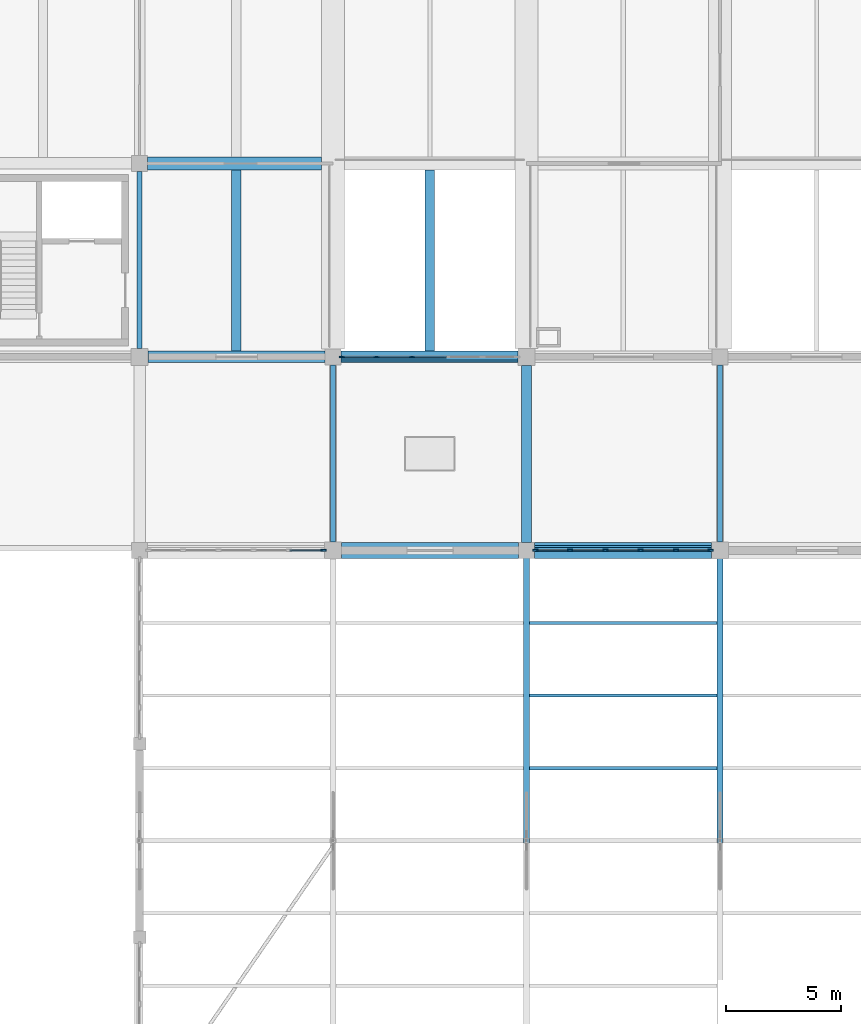
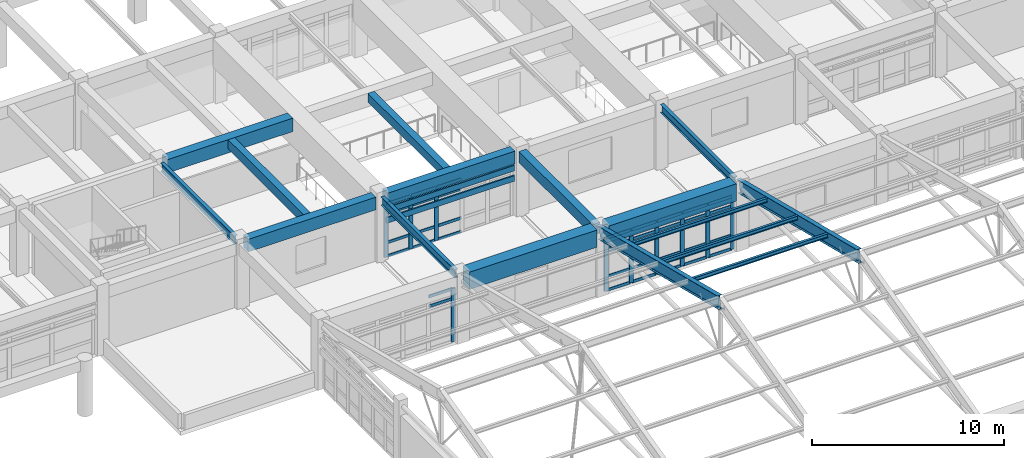
# One storey, part 16 of 99: 51 members, 13 beams, 3 elements without a shape of their own.
"""IFC4 building model written with IfcOpenShell, lengths in metres."""

from ifc_helpers import new_model, si_unit, direction, frame, origin, origin_2d, place, context, subcontext, project, spatial, rectangle, i_section, extrude, material, layer, layer_set, material_profile, profile_set, type_object, element, aggregate, save


model = new_model("IFC4")

# Units and contexts
model_context = context("Model", 3, precision=1e-05, world=origin(), true_north=direction((0.0, 1.0)))
body_context = subcontext(model_context, "Body", "Model", "MODEL_VIEW")
ifc_project = project(units=[si_unit("LENGTHUNIT", "METRE"), si_unit("AREAUNIT", "SQUARE_METRE"), si_unit("VOLUMEUNIT", "CUBIC_METRE"), si_unit("PLANEANGLEUNIT", "RADIAN"), si_unit("MASSUNIT", "GRAM", prefix="KILO")], contexts=[model_context])

# Site, building, storey
site_placement = place(None, origin())
site = spatial("IfcSite", under=ifc_project, at=site_placement, CompositionType="ELEMENT")
building_placement = place(site_placement, origin())
building = spatial("IfcBuilding", under=site, at=building_placement, Name="Porcellanite Civic Hall", CompositionType="ELEMENT")
storey_placement = place(building_placement, frame((0.0, 0.0, 5.760009765625)))
storey = spatial("IfcBuildingStorey", under=building, at=storey_placement, Name="L01", CompositionType="ELEMENT", Elevation=5.760009765625)

# Beams
ifc_material_1 = material(Name="Concrete N50 (50 MPa)", Category="concrete")
ifc_material_profile_1 = material_profile(ifc_material_1, rectangle(XDim=0.39990234375, YDim=0.550048828125, at=origin_2d()), Name="RC-400x550")
ifc_profile_set_1 = profile_set([ifc_material_profile_1], Name="Concrete N50 (50 MPa)")
beam_type_1 = type_object("IfcBeamType", Name="BM-RC550", PredefinedType="JOIST", material=ifc_profile_set_1)
beam_1_placement = place(storey_placement, frame((79.800048828125, 50.6494140625, 3.925048828125), z_axis=(0.0, 1.0, 0.0), x_axis=(-1.0, 0.0, 0.0)))
element("IfcBeam", 1, at=beam_1_placement, inside=storey, type_object=beam_type_1, Name="Secondary joist L01 10-7", PredefinedType="JOIST", context=body_context, shape_type="SweptSolid", body=[
    extrude(rectangle(XDim=0.39990234375, YDim=0.550048828125, at=origin_2d()), origin(), (0.0, 0.0, 1.0), 7.8759765625),
])
ifc_material_2 = material(Name="Concrete N50 (50 MPa)", Category="concrete")
ifc_material_profile_2 = material_profile(ifc_material_2, rectangle(XDim=0.39990234375, YDim=0.60009765625, at=origin_2d()), Name="RC-400x600")
ifc_profile_set_2 = profile_set([ifc_material_profile_2], Name="Concrete N50 (50 MPa)")
beam_type_2 = type_object("IfcBeamType", Name="BM-RC600", PredefinedType="JOIST", material=ifc_profile_set_2)
beam_2_placement = place(storey_placement, frame((71.39990234375, 50.6494140625, 3.89990234375), z_axis=(0.0, 1.0, 0.0), x_axis=(-1.0, 0.0, 0.0)))
element("IfcBeam", 2, at=beam_2_placement, inside=storey, type_object=beam_type_2, Name="Secondary joist L01 9-7", PredefinedType="JOIST", context=body_context, shape_type="SweptSolid", body=[
    extrude(rectangle(XDim=0.39990234375, YDim=0.60009765625, at=origin_2d()), origin(), (0.0, 0.0, 1.0), 7.8759765625),
])
ifc_material_3 = material(Name="Concrete N50 (50 MPa)", Category="concrete")
ifc_material_profile_3 = material_profile(ifc_material_3, rectangle(XDim=0.449951171875, YDim=0.699951171875, at=origin_2d()), Name="RC-450x700")
ifc_profile_set_3 = profile_set([ifc_material_profile_3], Name="Concrete N50 (50 MPa)")
beam_type_3 = type_object("IfcBeamType", Name="BM-RC700", PredefinedType="BEAM", material=ifc_profile_set_3)
beam_3_placement = place(storey_placement, frame((84.0, 42.349609375, 3.85009765625), z_axis=(0.0, 1.0, 0.0), x_axis=(-1.0, 0.0, 0.0)))
element("IfcBeam", 3, at=beam_3_placement, inside=storey, type_object=beam_type_3, Name="Beam Y L01 11-6", PredefinedType="BEAM", context=body_context, shape_type="SweptSolid", body=[
    extrude(rectangle(XDim=0.449951171875, YDim=0.699951171875, at=origin_2d()), origin(), (0.0, 0.0, 1.0), 7.67578125),
])
ifc_material_4 = material(Name="Concrete N50 (50 MPa)", Category="concrete")
ifc_material_profile_4 = material_profile(ifc_material_4, rectangle(XDim=0.5, YDim=0.800048828125, at=origin_2d()), Name="RC-500x800")
ifc_profile_set_4 = profile_set([ifc_material_profile_4], Name="Concrete N50 (50 MPa)")
beam_type_4 = type_object("IfcBeamType", Name="BM-RC800", PredefinedType="BEAM", material=ifc_profile_set_4)
for number, where, z_axis, x_axis, name in (
    (4, (67.574462890625, 50.39990234375, 3.800048828125), (1.0, 0.0, 0.0), (0.0, 1.0, 0.0), "Beam X L01 9-7"),
    (5, (75.949462890625, 50.39990234375, 3.800048828125), (1.0, 0.0, 0.0), (0.0, 1.0, 0.0), "Beam X L01 10-7"),
):
    element("IfcBeam", number, at=place(storey_placement, frame(where, z_axis=z_axis, x_axis=x_axis)), inside=storey, type_object=beam_type_4, Name=name, PredefinedType="BEAM", context=body_context, shape_type="SweptSolid", body=[
        extrude(rectangle(XDim=0.5, YDim=0.800048828125, at=origin_2d()), origin(), (0.0, 0.0, 1.0), 7.676025390625),
    ])
ifc_material_5 = material(Name="Concrete N50 (50 MPa)", Category="concrete")
ifc_material_profile_5 = material_profile(ifc_material_5, rectangle(XDim=0.550048828125, YDim=0.85009765625, at=origin_2d()), Name="RC-550x850")
ifc_profile_set_5 = profile_set([ifc_material_profile_5], Name="Concrete N50 (50 MPa)")
beam_type_5 = type_object("IfcBeamType", Name="BM-RC850", PredefinedType="BEAM", material=ifc_profile_set_5)
beam_4_placement = place(storey_placement, frame((67.549560546875, 58.800048828125, 3.77490234375), z_axis=(1.0, 0.0, 0.0), x_axis=(0.0, 1.0, 0.0)))
element("IfcBeam", 6, at=beam_4_placement, inside=storey, type_object=beam_type_5, Name="Transfer tie beam 8", PredefinedType="BEAM", context=body_context, shape_type="SweptSolid", body=[
    extrude(rectangle(XDim=0.550048828125, YDim=0.85009765625, at=origin_2d()), origin(), (0.0, 0.0, 1.0), 7.551025390625),
])

# Curtain wall, member
ifc_material_6 = material(Name="Anodised aluminium and solar laminated glass", Category="aluminium")
ifc_layer = layer(ifc_material_6, 0.179931640625)
ifc_layer_set = layer_set([ifc_layer], Name="Anodised aluminium and solar laminated glass")
curtain_wall_type = type_object("IfcCurtainWallType", Name="CW-SYS01", PredefinedType="NOTDEFINED", material=ifc_layer_set)
curtain_wall_1_placement = place(storey_placement, origin())
curtain_wall_1 = element("IfcCurtainWall", 7, at=curtain_wall_1_placement, inside=storey, type_object=curtain_wall_type, Name="Curtain wall CW-091", PredefinedType="NOTDEFINED")
ifc_material_7 = material(Name="Anodised aluminium 6063-T6", Category="aluminium")
ifc_material_profile_6 = material_profile(ifc_material_7, rectangle(XDim=0.080078125, YDim=0.239990234375, at=origin_2d()), Name="AL-80x240")
ifc_profile_set_6 = profile_set([ifc_material_profile_6], Name="Anodised aluminium 6063-T6")
member_type_1 = type_object("IfcMemberType", Name="CWM-01", PredefinedType="MULLION", material=ifc_profile_set_6)
member_1_placement = place(storey_placement, frame((75.18408203125, 42.0, 0.0), z_axis=(0.0, 0.0, 1.0), x_axis=(0.0, 1.0, 0.0)))
member_1 = element("IfcMember", 8, at=member_1_placement, type_object=member_type_1, Name="CW-091 mullion 6", PredefinedType="MULLION", context=body_context, shape_type="SweptSolid", body=[
    extrude(rectangle(XDim=0.080078125, YDim=0.239990234375, at=origin_2d()), origin(), (0.0, 0.0, 1.0), 3.39990234375),
])

# Curtain wall, members
curtain_wall_2_placement = place(storey_placement, origin())
curtain_wall_2 = element("IfcCurtainWall", 9, at=curtain_wall_2_placement, inside=storey, type_object=curtain_wall_type, Name="Curtain wall CW-092", PredefinedType="NOTDEFINED")
member_2_placement = place(storey_placement, frame((79.020263671875, 50.39990234375, 0.0), z_axis=(0.0, 0.0, 1.0), x_axis=(0.0, -1.0, 0.0)))
member_2 = element("IfcMember", 10, at=member_2_placement, type_object=member_type_1, Name="CW-092 mullion 4", PredefinedType="MULLION", context=body_context, shape_type="SweptSolid", body=[
    extrude(rectangle(XDim=0.080078125, YDim=0.239990234375, at=origin_2d()), origin(), (0.0, 0.0, 1.0), 3.39990234375),
])
member_3_placement = place(storey_placement, frame((77.485595703125, 50.39990234375, 0.0), z_axis=(0.0, 0.0, 1.0), x_axis=(0.0, -1.0, 0.0)))
member_3 = element("IfcMember", 11, at=member_3_placement, type_object=member_type_1, Name="CW-092 mullion 5", PredefinedType="MULLION", context=body_context, shape_type="SweptSolid", body=[
    extrude(rectangle(XDim=0.080078125, YDim=0.239990234375, at=origin_2d()), origin(), (0.0, 0.0, 1.0), 3.39990234375),
])
member_4_placement = place(storey_placement, frame((75.990966796875, 50.39990234375, 0.0), z_axis=(0.0, 0.0, 1.0), x_axis=(0.0, -1.0, 0.0)))
member_4 = element("IfcMember", 12, at=member_4_placement, type_object=member_type_1, Name="CW-092 mullion 6", PredefinedType="MULLION", context=body_context, shape_type="SweptSolid", body=[
    extrude(rectangle(XDim=0.080078125, YDim=0.239990234375, at=origin_2d()), origin(), (0.0, 0.0, 1.0), 3.39990234375),
])

curtain_wall_3_placement = place(storey_placement, origin())
curtain_wall_3 = element("IfcCurtainWall", 13, at=curtain_wall_3_placement, inside=storey, type_object=curtain_wall_type, Name="Curtain wall CW-096", PredefinedType="NOTDEFINED")
member_5_placement = place(storey_placement, frame((84.39111328125, 42.0, 0.0), z_axis=(0.0, 0.0, 1.0), x_axis=(0.0, 1.0, 0.0)))
member_5 = element("IfcMember", 14, at=member_5_placement, type_object=member_type_1, Name="CW-096 mullion 1", PredefinedType="MULLION", context=body_context, shape_type="SweptSolid", body=[
    extrude(rectangle(XDim=0.080078125, YDim=0.239990234375, at=origin_2d()), origin(), (0.0, 0.0, 1.0), 3.39990234375),
])
member_6_placement = place(storey_placement, frame((85.885498046875, 42.0, 0.0), z_axis=(0.0, 0.0, 1.0), x_axis=(0.0, 1.0, 0.0)))
member_6 = element("IfcMember", 15, at=member_6_placement, type_object=member_type_1, Name="CW-096 mullion 2", PredefinedType="MULLION", context=body_context, shape_type="SweptSolid", body=[
    extrude(rectangle(XDim=0.080078125, YDim=0.239990234375, at=origin_2d()), origin(), (0.0, 0.0, 1.0), 3.39990234375),
])
member_7_placement = place(storey_placement, frame((87.420166015625, 42.0, 0.0), z_axis=(0.0, 0.0, 1.0), x_axis=(0.0, 1.0, 0.0)))
member_7 = element("IfcMember", 16, at=member_7_placement, type_object=member_type_1, Name="CW-096 mullion 3", PredefinedType="MULLION", context=body_context, shape_type="SweptSolid", body=[
    extrude(rectangle(XDim=0.080078125, YDim=0.239990234375, at=origin_2d()), origin(), (0.0, 0.0, 1.0), 3.39990234375),
])
member_8_placement = place(storey_placement, frame((88.954833984375, 42.0, 0.0), z_axis=(0.0, 0.0, 1.0), x_axis=(0.0, 1.0, 0.0)))
member_8 = element("IfcMember", 17, at=member_8_placement, type_object=member_type_1, Name="CW-096 mullion 4", PredefinedType="MULLION", context=body_context, shape_type="SweptSolid", body=[
    extrude(rectangle(XDim=0.080078125, YDim=0.239990234375, at=origin_2d()), origin(), (0.0, 0.0, 1.0), 3.39990234375),
])
member_9_placement = place(storey_placement, frame((90.489501953125, 42.0, 0.0), z_axis=(0.0, 0.0, 1.0), x_axis=(0.0, 1.0, 0.0)))
member_9 = element("IfcMember", 18, at=member_9_placement, type_object=member_type_1, Name="CW-096 mullion 5", PredefinedType="MULLION", context=body_context, shape_type="SweptSolid", body=[
    extrude(rectangle(XDim=0.080078125, YDim=0.239990234375, at=origin_2d()), origin(), (0.0, 0.0, 1.0), 3.39990234375),
])
member_10_placement = place(storey_placement, frame((91.98388671875, 42.0, 0.0), z_axis=(0.0, 0.0, 1.0), x_axis=(0.0, 1.0, 0.0)))
member_10 = element("IfcMember", 19, at=member_10_placement, type_object=member_type_1, Name="CW-096 mullion 6", PredefinedType="MULLION", context=body_context, shape_type="SweptSolid", body=[
    extrude(rectangle(XDim=0.080078125, YDim=0.239990234375, at=origin_2d()), origin(), (0.0, 0.0, 1.0), 3.39990234375),
])

# Member
ifc_material_8 = material(Name="Anodised aluminium 6063-T6", Category="aluminium")
ifc_material_profile_7 = material_profile(ifc_material_8, rectangle(XDim=0.070068359375, YDim=0.175048828125, at=origin_2d()), Name="AL-70x175")
ifc_profile_set_7 = profile_set([ifc_material_profile_7], Name="Anodised aluminium 6063-T6")
member_type_2 = type_object("IfcMemberType", Name="CWT-01", PredefinedType="USERDEFINED", material=ifc_profile_set_7)
member_11_placement = place(storey_placement, frame((73.7294921875, 42.0, 2.75), z_axis=(1.0, 0.0, 0.0), x_axis=(0.0, 1.0, 0.0)))
member_11 = element("IfcMember", 20, at=member_11_placement, type_object=member_type_2, Name="CW-091 transom 5.3", ObjectType="TRANSOM", PredefinedType="USERDEFINED", context=body_context, shape_type="SweptSolid", body=[
    extrude(rectangle(XDim=0.070068359375, YDim=0.175048828125, at=origin_2d()), origin(), (0.0, 0.0, 1.0), 1.41455078125),
])

member_12_placement = place(storey_placement, frame((73.7294921875, 42.0, 3.364990234375), z_axis=(1.0, 0.0, 0.0), x_axis=(0.0, 1.0, 0.0)))
member_12 = element("IfcMember", 21, at=member_12_placement, type_object=member_type_2, Name="CW-091 transom 5.4", ObjectType="TRANSOM", PredefinedType="USERDEFINED", context=body_context, shape_type="SweptSolid", body=[
    extrude(rectangle(XDim=0.070068359375, YDim=0.175048828125, at=origin_2d()), origin(), (0.0, 0.0, 1.0), 1.41455078125),
])

aggregate(curtain_wall_1, [member_1, member_11, member_12])

member_13_placement = place(storey_placement, frame((80.514892578125, 50.39990234375, 0.034912109375), z_axis=(-1.0, 0.0, 0.0), x_axis=(0.0, -1.0, 0.0)))
member_13 = element("IfcMember", 22, at=member_13_placement, type_object=member_type_2, Name="CW-092 transom 3.1", ObjectType="TRANSOM", PredefinedType="USERDEFINED", context=body_context, shape_type="SweptSolid", body=[
    extrude(rectangle(XDim=0.070068359375, YDim=0.175048828125, at=origin_2d()), origin(), (0.0, 0.0, 1.0), 1.45458984375),
])

member_14_placement = place(storey_placement, frame((80.514892578125, 50.39990234375, 0.89990234375), z_axis=(-1.0, 0.0, 0.0), x_axis=(0.0, -1.0, 0.0)))
member_14 = element("IfcMember", 23, at=member_14_placement, type_object=member_type_2, Name="CW-092 transom 3.2", ObjectType="TRANSOM", PredefinedType="USERDEFINED", context=body_context, shape_type="SweptSolid", body=[
    extrude(rectangle(XDim=0.070068359375, YDim=0.175048828125, at=origin_2d()), origin(), (0.0, 0.0, 1.0), 1.45458984375),
])

member_15_placement = place(storey_placement, frame((80.514892578125, 50.39990234375, 2.75), z_axis=(-1.0, 0.0, 0.0), x_axis=(0.0, -1.0, 0.0)))
member_15 = element("IfcMember", 24, at=member_15_placement, type_object=member_type_2, Name="CW-092 transom 3.3", ObjectType="TRANSOM", PredefinedType="USERDEFINED", context=body_context, shape_type="SweptSolid", body=[
    extrude(rectangle(XDim=0.070068359375, YDim=0.175048828125, at=origin_2d()), origin(), (0.0, 0.0, 1.0), 1.45458984375),
])

member_16_placement = place(storey_placement, frame((80.514892578125, 50.39990234375, 3.364990234375), z_axis=(-1.0, 0.0, 0.0), x_axis=(0.0, -1.0, 0.0)))
member_16 = element("IfcMember", 25, at=member_16_placement, type_object=member_type_2, Name="CW-092 transom 3.4", ObjectType="TRANSOM", PredefinedType="USERDEFINED", context=body_context, shape_type="SweptSolid", body=[
    extrude(rectangle(XDim=0.070068359375, YDim=0.175048828125, at=origin_2d()), origin(), (0.0, 0.0, 1.0), 1.45458984375),
])

member_17_placement = place(storey_placement, frame((78.980224609375, 50.39990234375, 0.034912109375), z_axis=(-1.0, 0.0, 0.0), x_axis=(0.0, -1.0, 0.0)))
member_17 = element("IfcMember", 26, at=member_17_placement, type_object=member_type_2, Name="CW-092 transom 4.1", ObjectType="TRANSOM", PredefinedType="USERDEFINED", context=body_context, shape_type="SweptSolid", body=[
    extrude(rectangle(XDim=0.070068359375, YDim=0.175048828125, at=origin_2d()), origin(), (0.0, 0.0, 1.0), 1.45458984375),
])

member_18_placement = place(storey_placement, frame((78.980224609375, 50.39990234375, 0.89990234375), z_axis=(-1.0, 0.0, 0.0), x_axis=(0.0, -1.0, 0.0)))
member_18 = element("IfcMember", 27, at=member_18_placement, type_object=member_type_2, Name="CW-092 transom 4.2", ObjectType="TRANSOM", PredefinedType="USERDEFINED", context=body_context, shape_type="SweptSolid", body=[
    extrude(rectangle(XDim=0.070068359375, YDim=0.175048828125, at=origin_2d()), origin(), (0.0, 0.0, 1.0), 1.45458984375),
])

member_19_placement = place(storey_placement, frame((78.980224609375, 50.39990234375, 2.75), z_axis=(-1.0, 0.0, 0.0), x_axis=(0.0, -1.0, 0.0)))
member_19 = element("IfcMember", 28, at=member_19_placement, type_object=member_type_2, Name="CW-092 transom 4.3", ObjectType="TRANSOM", PredefinedType="USERDEFINED", context=body_context, shape_type="SweptSolid", body=[
    extrude(rectangle(XDim=0.070068359375, YDim=0.175048828125, at=origin_2d()), origin(), (0.0, 0.0, 1.0), 1.45458984375),
])

member_20_placement = place(storey_placement, frame((78.980224609375, 50.39990234375, 3.364990234375), z_axis=(-1.0, 0.0, 0.0), x_axis=(0.0, -1.0, 0.0)))
member_20 = element("IfcMember", 29, at=member_20_placement, type_object=member_type_2, Name="CW-092 transom 4.4", ObjectType="TRANSOM", PredefinedType="USERDEFINED", context=body_context, shape_type="SweptSolid", body=[
    extrude(rectangle(XDim=0.070068359375, YDim=0.175048828125, at=origin_2d()), origin(), (0.0, 0.0, 1.0), 1.45458984375),
])

member_21_placement = place(storey_placement, frame((77.445556640625, 50.39990234375, 0.034912109375), z_axis=(-1.0, 0.0, 0.0), x_axis=(0.0, -1.0, 0.0)))
member_21 = element("IfcMember", 30, at=member_21_placement, type_object=member_type_2, Name="CW-092 transom 5.1", ObjectType="TRANSOM", PredefinedType="USERDEFINED", context=body_context, shape_type="SweptSolid", body=[
    extrude(rectangle(XDim=0.070068359375, YDim=0.175048828125, at=origin_2d()), origin(), (0.0, 0.0, 1.0), 1.41455078125),
])

member_22_placement = place(storey_placement, frame((77.445556640625, 50.39990234375, 0.89990234375), z_axis=(-1.0, 0.0, 0.0), x_axis=(0.0, -1.0, 0.0)))
member_22 = element("IfcMember", 31, at=member_22_placement, type_object=member_type_2, Name="CW-092 transom 5.2", ObjectType="TRANSOM", PredefinedType="USERDEFINED", context=body_context, shape_type="SweptSolid", body=[
    extrude(rectangle(XDim=0.070068359375, YDim=0.175048828125, at=origin_2d()), origin(), (0.0, 0.0, 1.0), 1.41455078125),
])

member_23_placement = place(storey_placement, frame((77.445556640625, 50.39990234375, 2.75), z_axis=(-1.0, 0.0, 0.0), x_axis=(0.0, -1.0, 0.0)))
member_23 = element("IfcMember", 32, at=member_23_placement, type_object=member_type_2, Name="CW-092 transom 5.3", ObjectType="TRANSOM", PredefinedType="USERDEFINED", context=body_context, shape_type="SweptSolid", body=[
    extrude(rectangle(XDim=0.070068359375, YDim=0.175048828125, at=origin_2d()), origin(), (0.0, 0.0, 1.0), 1.41455078125),
])

member_24_placement = place(storey_placement, frame((77.445556640625, 50.39990234375, 3.364990234375), z_axis=(-1.0, 0.0, 0.0), x_axis=(0.0, -1.0, 0.0)))
member_24 = element("IfcMember", 33, at=member_24_placement, type_object=member_type_2, Name="CW-092 transom 5.4", ObjectType="TRANSOM", PredefinedType="USERDEFINED", context=body_context, shape_type="SweptSolid", body=[
    extrude(rectangle(XDim=0.070068359375, YDim=0.175048828125, at=origin_2d()), origin(), (0.0, 0.0, 1.0), 1.41455078125),
])

aggregate(curtain_wall_2, [member_2, member_3, member_4, member_13, member_14, member_15, member_16, member_17, member_18, member_19, member_20, member_21, member_22, member_23, member_24])

member_25_placement = place(storey_placement, frame((84.430908203125, 42.0, 0.034912109375), z_axis=(1.0, 0.0, 0.0), x_axis=(0.0, 1.0, 0.0)))
member_25 = element("IfcMember", 34, at=member_25_placement, type_object=member_type_2, Name="CW-096 transom 1.1", ObjectType="TRANSOM", PredefinedType="USERDEFINED", context=body_context, shape_type="SweptSolid", body=[
    extrude(rectangle(XDim=0.070068359375, YDim=0.175048828125, at=origin_2d()), origin(), (0.0, 0.0, 1.0), 1.414794921875),
])

member_26_placement = place(storey_placement, frame((84.430908203125, 42.0, 0.89990234375), z_axis=(1.0, 0.0, 0.0), x_axis=(0.0, 1.0, 0.0)))
member_26 = element("IfcMember", 35, at=member_26_placement, type_object=member_type_2, Name="CW-096 transom 1.2", ObjectType="TRANSOM", PredefinedType="USERDEFINED", context=body_context, shape_type="SweptSolid", body=[
    extrude(rectangle(XDim=0.070068359375, YDim=0.175048828125, at=origin_2d()), origin(), (0.0, 0.0, 1.0), 1.414794921875),
])

member_27_placement = place(storey_placement, frame((84.430908203125, 42.0, 2.75), z_axis=(1.0, 0.0, 0.0), x_axis=(0.0, 1.0, 0.0)))
member_27 = element("IfcMember", 36, at=member_27_placement, type_object=member_type_2, Name="CW-096 transom 1.3", ObjectType="TRANSOM", PredefinedType="USERDEFINED", context=body_context, shape_type="SweptSolid", body=[
    extrude(rectangle(XDim=0.070068359375, YDim=0.175048828125, at=origin_2d()), origin(), (0.0, 0.0, 1.0), 1.414794921875),
])

member_28_placement = place(storey_placement, frame((84.430908203125, 42.0, 3.364990234375), z_axis=(1.0, 0.0, 0.0), x_axis=(0.0, 1.0, 0.0)))
member_28 = element("IfcMember", 37, at=member_28_placement, type_object=member_type_2, Name="CW-096 transom 1.4", ObjectType="TRANSOM", PredefinedType="USERDEFINED", context=body_context, shape_type="SweptSolid", body=[
    extrude(rectangle(XDim=0.070068359375, YDim=0.175048828125, at=origin_2d()), origin(), (0.0, 0.0, 1.0), 1.414794921875),
])

member_29_placement = place(storey_placement, frame((85.925537109375, 42.0, 0.034912109375), z_axis=(1.0, 0.0, 0.0), x_axis=(0.0, 1.0, 0.0)))
member_29 = element("IfcMember", 38, at=member_29_placement, type_object=member_type_2, Name="CW-096 transom 2.1", ObjectType="TRANSOM", PredefinedType="USERDEFINED", context=body_context, shape_type="SweptSolid", body=[
    extrude(rectangle(XDim=0.070068359375, YDim=0.175048828125, at=origin_2d()), origin(), (0.0, 0.0, 1.0), 1.45458984375),
])

member_30_placement = place(storey_placement, frame((85.925537109375, 42.0, 0.89990234375), z_axis=(1.0, 0.0, 0.0), x_axis=(0.0, 1.0, 0.0)))
member_30 = element("IfcMember", 39, at=member_30_placement, type_object=member_type_2, Name="CW-096 transom 2.2", ObjectType="TRANSOM", PredefinedType="USERDEFINED", context=body_context, shape_type="SweptSolid", body=[
    extrude(rectangle(XDim=0.070068359375, YDim=0.175048828125, at=origin_2d()), origin(), (0.0, 0.0, 1.0), 1.45458984375),
])

member_31_placement = place(storey_placement, frame((85.925537109375, 42.0, 2.75), z_axis=(1.0, 0.0, 0.0), x_axis=(0.0, 1.0, 0.0)))
member_31 = element("IfcMember", 40, at=member_31_placement, type_object=member_type_2, Name="CW-096 transom 2.3", ObjectType="TRANSOM", PredefinedType="USERDEFINED", context=body_context, shape_type="SweptSolid", body=[
    extrude(rectangle(XDim=0.070068359375, YDim=0.175048828125, at=origin_2d()), origin(), (0.0, 0.0, 1.0), 1.45458984375),
])

member_32_placement = place(storey_placement, frame((85.925537109375, 42.0, 3.364990234375), z_axis=(1.0, 0.0, 0.0), x_axis=(0.0, 1.0, 0.0)))
member_32 = element("IfcMember", 41, at=member_32_placement, type_object=member_type_2, Name="CW-096 transom 2.4", ObjectType="TRANSOM", PredefinedType="USERDEFINED", context=body_context, shape_type="SweptSolid", body=[
    extrude(rectangle(XDim=0.070068359375, YDim=0.175048828125, at=origin_2d()), origin(), (0.0, 0.0, 1.0), 1.45458984375),
])

member_33_placement = place(storey_placement, frame((87.460205078125, 42.0, 0.034912109375), z_axis=(1.0, 0.0, 0.0), x_axis=(0.0, 1.0, 0.0)))
member_33 = element("IfcMember", 42, at=member_33_placement, type_object=member_type_2, Name="CW-096 transom 3.1", ObjectType="TRANSOM", PredefinedType="USERDEFINED", context=body_context, shape_type="SweptSolid", body=[
    extrude(rectangle(XDim=0.070068359375, YDim=0.175048828125, at=origin_2d()), origin(), (0.0, 0.0, 1.0), 1.45458984375),
])

member_34_placement = place(storey_placement, frame((87.460205078125, 42.0, 0.89990234375), z_axis=(1.0, 0.0, 0.0), x_axis=(0.0, 1.0, 0.0)))
member_34 = element("IfcMember", 43, at=member_34_placement, type_object=member_type_2, Name="CW-096 transom 3.2", ObjectType="TRANSOM", PredefinedType="USERDEFINED", context=body_context, shape_type="SweptSolid", body=[
    extrude(rectangle(XDim=0.070068359375, YDim=0.175048828125, at=origin_2d()), origin(), (0.0, 0.0, 1.0), 1.45458984375),
])

member_35_placement = place(storey_placement, frame((87.460205078125, 42.0, 2.75), z_axis=(1.0, 0.0, 0.0), x_axis=(0.0, 1.0, 0.0)))
member_35 = element("IfcMember", 44, at=member_35_placement, type_object=member_type_2, Name="CW-096 transom 3.3", ObjectType="TRANSOM", PredefinedType="USERDEFINED", context=body_context, shape_type="SweptSolid", body=[
    extrude(rectangle(XDim=0.070068359375, YDim=0.175048828125, at=origin_2d()), origin(), (0.0, 0.0, 1.0), 1.45458984375),
])

member_36_placement = place(storey_placement, frame((87.460205078125, 42.0, 3.364990234375), z_axis=(1.0, 0.0, 0.0), x_axis=(0.0, 1.0, 0.0)))
member_36 = element("IfcMember", 45, at=member_36_placement, type_object=member_type_2, Name="CW-096 transom 3.4", ObjectType="TRANSOM", PredefinedType="USERDEFINED", context=body_context, shape_type="SweptSolid", body=[
    extrude(rectangle(XDim=0.070068359375, YDim=0.175048828125, at=origin_2d()), origin(), (0.0, 0.0, 1.0), 1.45458984375),
])

member_37_placement = place(storey_placement, frame((88.994873046875, 42.0, 0.034912109375), z_axis=(1.0, 0.0, 0.0), x_axis=(0.0, 1.0, 0.0)))
member_37 = element("IfcMember", 46, at=member_37_placement, type_object=member_type_2, Name="CW-096 transom 4.1", ObjectType="TRANSOM", PredefinedType="USERDEFINED", context=body_context, shape_type="SweptSolid", body=[
    extrude(rectangle(XDim=0.070068359375, YDim=0.175048828125, at=origin_2d()), origin(), (0.0, 0.0, 1.0), 1.45458984375),
])

member_38_placement = place(storey_placement, frame((88.994873046875, 42.0, 0.89990234375), z_axis=(1.0, 0.0, 0.0), x_axis=(0.0, 1.0, 0.0)))
member_38 = element("IfcMember", 47, at=member_38_placement, type_object=member_type_2, Name="CW-096 transom 4.2", ObjectType="TRANSOM", PredefinedType="USERDEFINED", context=body_context, shape_type="SweptSolid", body=[
    extrude(rectangle(XDim=0.070068359375, YDim=0.175048828125, at=origin_2d()), origin(), (0.0, 0.0, 1.0), 1.45458984375),
])

member_39_placement = place(storey_placement, frame((88.994873046875, 42.0, 2.75), z_axis=(1.0, 0.0, 0.0), x_axis=(0.0, 1.0, 0.0)))
member_39 = element("IfcMember", 48, at=member_39_placement, type_object=member_type_2, Name="CW-096 transom 4.3", ObjectType="TRANSOM", PredefinedType="USERDEFINED", context=body_context, shape_type="SweptSolid", body=[
    extrude(rectangle(XDim=0.070068359375, YDim=0.175048828125, at=origin_2d()), origin(), (0.0, 0.0, 1.0), 1.45458984375),
])

member_40_placement = place(storey_placement, frame((88.994873046875, 42.0, 3.364990234375), z_axis=(1.0, 0.0, 0.0), x_axis=(0.0, 1.0, 0.0)))
member_40 = element("IfcMember", 49, at=member_40_placement, type_object=member_type_2, Name="CW-096 transom 4.4", ObjectType="TRANSOM", PredefinedType="USERDEFINED", context=body_context, shape_type="SweptSolid", body=[
    extrude(rectangle(XDim=0.070068359375, YDim=0.175048828125, at=origin_2d()), origin(), (0.0, 0.0, 1.0), 1.45458984375),
])

member_41_placement = place(storey_placement, frame((90.529296875, 42.0, 0.034912109375), z_axis=(1.0, 0.0, 0.0), x_axis=(0.0, 1.0, 0.0)))
member_41 = element("IfcMember", 50, at=member_41_placement, type_object=member_type_2, Name="CW-096 transom 5.1", ObjectType="TRANSOM", PredefinedType="USERDEFINED", context=body_context, shape_type="SweptSolid", body=[
    extrude(rectangle(XDim=0.070068359375, YDim=0.175048828125, at=origin_2d()), origin(), (0.0, 0.0, 1.0), 1.414794921875),
])

member_42_placement = place(storey_placement, frame((90.529296875, 42.0, 0.89990234375), z_axis=(1.0, 0.0, 0.0), x_axis=(0.0, 1.0, 0.0)))
member_42 = element("IfcMember", 51, at=member_42_placement, type_object=member_type_2, Name="CW-096 transom 5.2", ObjectType="TRANSOM", PredefinedType="USERDEFINED", context=body_context, shape_type="SweptSolid", body=[
    extrude(rectangle(XDim=0.070068359375, YDim=0.175048828125, at=origin_2d()), origin(), (0.0, 0.0, 1.0), 1.414794921875),
])

member_43_placement = place(storey_placement, frame((90.529296875, 42.0, 2.75), z_axis=(1.0, 0.0, 0.0), x_axis=(0.0, 1.0, 0.0)))
member_43 = element("IfcMember", 52, at=member_43_placement, type_object=member_type_2, Name="CW-096 transom 5.3", ObjectType="TRANSOM", PredefinedType="USERDEFINED", context=body_context, shape_type="SweptSolid", body=[
    extrude(rectangle(XDim=0.070068359375, YDim=0.175048828125, at=origin_2d()), origin(), (0.0, 0.0, 1.0), 1.414794921875),
])

member_44_placement = place(storey_placement, frame((90.529296875, 42.0, 3.364990234375), z_axis=(1.0, 0.0, 0.0), x_axis=(0.0, 1.0, 0.0)))
member_44 = element("IfcMember", 53, at=member_44_placement, type_object=member_type_2, Name="CW-096 transom 5.4", ObjectType="TRANSOM", PredefinedType="USERDEFINED", context=body_context, shape_type="SweptSolid", body=[
    extrude(rectangle(XDim=0.070068359375, YDim=0.175048828125, at=origin_2d()), origin(), (0.0, 0.0, 1.0), 1.414794921875),
])

aggregate(curtain_wall_3, [member_5, member_6, member_7, member_8, member_9, member_10, member_25, member_26, member_27, member_28, member_29, member_30, member_31, member_32, member_33, member_34, member_35, member_36, member_37, member_38, member_39, member_40, member_41, member_42, member_43, member_44])

# Beams
ifc_material_9 = material(Name="Concrete N50 (50 MPa)", Category="concrete")
ifc_material_profile_8 = material_profile(ifc_material_9, rectangle(XDim=0.699951171875, YDim=1.10009765625, at=origin_2d()), Name="RC-700x1100")
ifc_profile_set_8 = profile_set([ifc_material_profile_8], Name="Concrete N50 (50 MPa)")
beam_type_6 = type_object("IfcBeamType", Name="EB-CH2", PredefinedType="BEAM", material=ifc_profile_set_8)
for number, where, z_axis, x_axis, name in (
    (54, (75.974609375, 42.0, 3.780029296875), (1.0, 0.0, 0.0), (0.0, 1.0, 0.0), "Public Hall edge beam 5 9"),
    (55, (84.349609375, 42.0, 3.780029296875), (1.0, 0.0, 0.0), (0.0, 1.0, 0.0), "Public Hall edge beam 5 10"),
):
    element("IfcBeam", number, at=place(storey_placement, frame(where, z_axis=z_axis, x_axis=x_axis)), inside=storey, type_object=beam_type_6, Name=name, PredefinedType="BEAM", context=body_context, shape_type="SweptSolid", body=[
        extrude(rectangle(XDim=0.699951171875, YDim=1.10009765625, at=origin_2d()), origin(), (0.0, 0.0, 1.0), 7.67578125),
    ])

# Members
ifc_material_10 = material(Name="Fluoropolymer bauxite-red aluminium 6063-T6", Category="aluminium")
ifc_material_profile_9 = material_profile(ifc_material_10, rectangle(XDim=0.090087890625, YDim=0.360107421875, at=origin_2d()), Name="AL-90x360")
ifc_profile_set_9 = profile_set([ifc_material_profile_9], Name="Fluoropolymer bauxite-red aluminium 6063-T6")
member_type_3 = type_object("IfcMemberType", Name="LV-BLD01", PredefinedType="USERDEFINED", material=ifc_profile_set_9)
for number, where, z_axis, x_axis, name in (
    (56, (83.62548828125, 50.23291015625, 3.10009765625), (-1.0, 0.0, 0.0), (0.0, -1.0, 0.0), "Cyclone sunshade louvre L01 S 9-6 1"),
    (57, (83.62548828125, 50.23291015625, 2.449951171875), (-1.0, 0.0, 0.0), (0.0, -1.0, 0.0), "Cyclone sunshade louvre L01 S 9-6 2"),
):
    element("IfcMember", number, at=place(storey_placement, frame(where, z_axis=z_axis, x_axis=x_axis)), inside=storey, type_object=member_type_3, Name=name, ObjectType="LOUVRE BLADE", PredefinedType="USERDEFINED", context=body_context, shape_type="SweptSolid", body=[
        extrude(rectangle(XDim=0.090087890625, YDim=0.360107421875, at=origin_2d()), origin(), (0.0, 0.0, 1.0), 7.676025390625),
    ])
for number, where, z_axis, x_axis, name in (
    (58, (84.349609375, 42.1669921875, 3.10009765625), (1.0, 0.0, 0.0), (0.0, 1.0, 0.0), "Cyclone sunshade louvre L01 N 10-4 1"),
    (59, (84.349609375, 42.1669921875, 2.449951171875), (1.0, 0.0, 0.0), (0.0, 1.0, 0.0), "Cyclone sunshade louvre L01 N 10-4 2"),
):
    element("IfcMember", number, at=place(storey_placement, frame(where, z_axis=z_axis, x_axis=x_axis)), inside=storey, type_object=member_type_3, Name=name, ObjectType="LOUVRE BLADE", PredefinedType="USERDEFINED", context=body_context, shape_type="SweptSolid", body=[
        extrude(rectangle(XDim=0.090087890625, YDim=0.360107421875, at=origin_2d()), origin(), (0.0, 0.0, 1.0), 7.67578125),
    ])
ifc_material_11 = material(Name="Steel Grade 350", Category="steel")
ifc_material_profile_10 = material_profile(ifc_material_11, i_section(OverallWidth=0.14599609375, OverallDepth=0.251953125, WebThickness=0.006103515625, FlangeThickness=0.008544921875, FilletRadius=0.0087890625, at=origin_2d()), Name="250UB31.4")
ifc_profile_set_10 = profile_set([ifc_material_profile_10], Name="Steel Grade 350")
member_type_4 = type_object("IfcMemberType", Name="PUR-250UB31", PredefinedType="PURLIN", material=ifc_profile_set_10)
for number, where, z_axis, x_axis, name in (
    (60, (84.136962890625, 32.550048828125, 6.52099609375), (1.0, 0.0, 0.0), (0.0, 1.0, 0.0), "Public Hall purlin 10 32.5"),
    (61, (84.136962890625, 35.699951171875, 5.735595703125), (1.0, 0.0, 0.0), (0.0, 1.0, 0.0), "Public Hall purlin 10 35.7"),
    (62, (84.136962890625, 38.85009765625, 4.9501953125), (1.0, 0.0, 0.0), (0.0, 1.0, 0.0), "Public Hall purlin 10 38.9"),
):
    element("IfcMember", number, at=place(storey_placement, frame(where, z_axis=z_axis, x_axis=x_axis)), inside=storey, type_object=member_type_4, Name=name, PredefinedType="PURLIN", context=body_context, shape_type="SweptSolid", body=[
        extrude(i_section(OverallWidth=0.14599609375, OverallDepth=0.251953125, WebThickness=0.006103515625, FlangeThickness=0.008544921875, FilletRadius=0.0087890625, at=origin_2d()), origin(), (0.0, 0.0, 1.0), 8.1259765625),
    ])

# Beams
ifc_material_12 = material(Name="Steel Grade 350", Category="steel")
ifc_material_profile_11 = material_profile(ifc_material_12, i_section(OverallWidth=0.208984375, OverallDepth=0.528076171875, WebThickness=0.009521484375, FlangeThickness=0.01318359375, FilletRadius=0.013916015625, at=origin_2d()), Name="530UB82.0")
ifc_profile_set_11 = profile_set([ifc_material_profile_11], Name="Steel Grade 350")
beam_type_7 = type_object("IfcBeamType", Name="RAF-530UB82", PredefinedType="BEAM", material=ifc_profile_set_11)
for number, where, z_axis, x_axis, name in (
    (63, (67.199951171875, 50.7744140625, 3.93603515625), (0.0, 1.0, 0.0), (-1.0, 0.0, 0.0), "Beam Y L01 9-7"),
    (64, (75.60009765625, 42.37451171875, 3.93603515625), (0.0, 1.0, 0.0), (-1.0, 0.0, 0.0), "Beam Y L01 10-6"),
    (65, (92.39990234375, 42.37451171875, 3.93603515625), (0.0, 1.0, 0.0), (-1.0, 0.0, 0.0), "Beam Y L01 12-6"),
):
    element("IfcBeam", number, at=place(storey_placement, frame(where, z_axis=z_axis, x_axis=x_axis)), inside=storey, type_object=beam_type_7, Name=name, PredefinedType="BEAM", context=body_context, shape_type="SweptSolid", body=[
        extrude(i_section(OverallWidth=0.208984375, OverallDepth=0.528076171875, WebThickness=0.009521484375, FlangeThickness=0.01318359375, FilletRadius=0.013916015625, at=origin_2d()), origin(), (0.0, 0.0, 1.0), 7.676025390625),
    ])
ifc_material_13 = material(Name="Steel Grade 350", Category="steel")
ifc_material_profile_12 = material_profile(ifc_material_13, i_section(OverallWidth=0.27490234375, OverallDepth=0.800048828125, WebThickness=0.010009765625, FlangeThickness=0.01611328125, FilletRadius=0.013916015625, at=origin_2d()), Name="800WB146")
ifc_profile_set_12 = profile_set([ifc_material_profile_12], Name="Steel Grade 350")
beam_type_8 = type_object("IfcBeamType", Name="RAF-800WB", PredefinedType="BEAM", material=ifc_profile_set_12)
for number, where, z_axis, x_axis, name in (
    (66, (84.0, 29.39990234375, 7.036376953125), (0.0, 0.970294924077, -0.241925113021), (-1.0, 0.0, 0.0), "Public Hall north rafter 10"),
    (67, (92.39990234375, 29.39990234375, 7.036376953125), (0.0, 0.970294924077, -0.241925113021), (-1.0, 0.0, 0.0), "Public Hall north rafter 11"),
):
    element("IfcBeam", number, at=place(storey_placement, frame(where, z_axis=z_axis, x_axis=x_axis)), inside=storey, type_object=beam_type_8, Name=name, PredefinedType="BEAM", context=body_context, shape_type="SweptSolid", body=[
        extrude(i_section(OverallWidth=0.27490234375, OverallDepth=0.800048828125, WebThickness=0.010009765625, FlangeThickness=0.01611328125, FilletRadius=0.013916015625, at=origin_2d()), origin(), (0.0, 0.0, 1.0), 12.98583984375),
    ])

save(model, "model.ifc")
